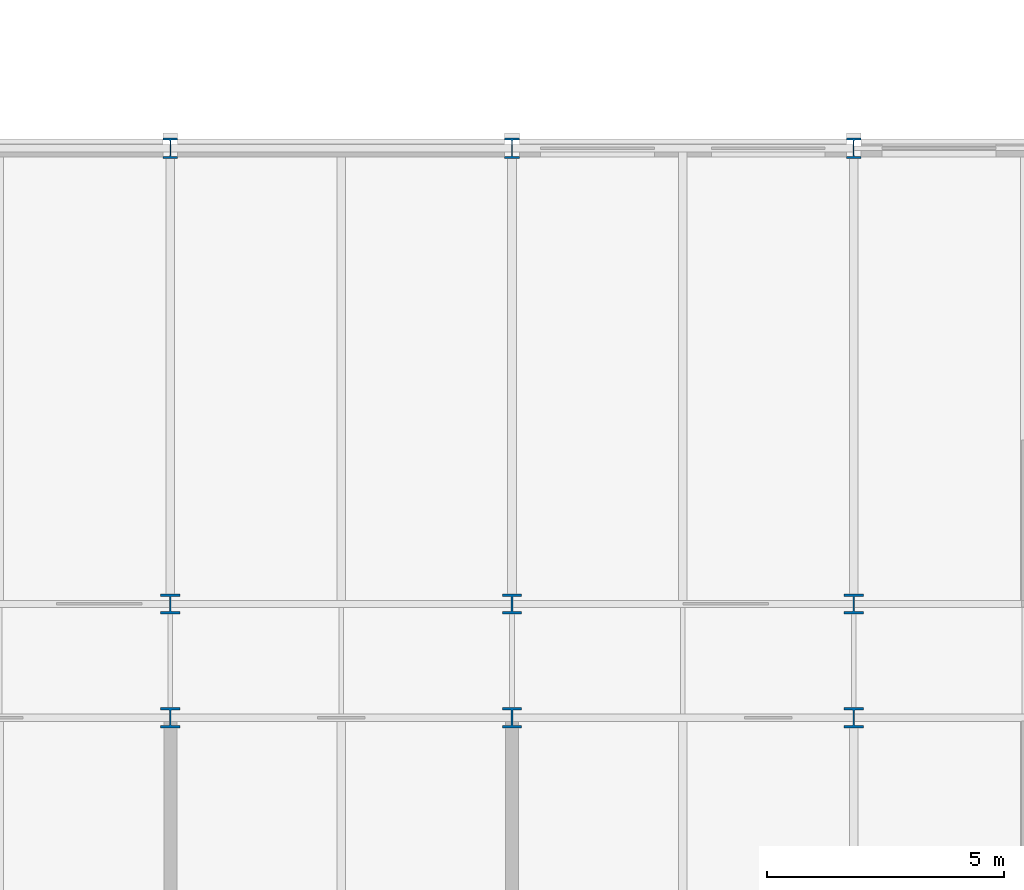
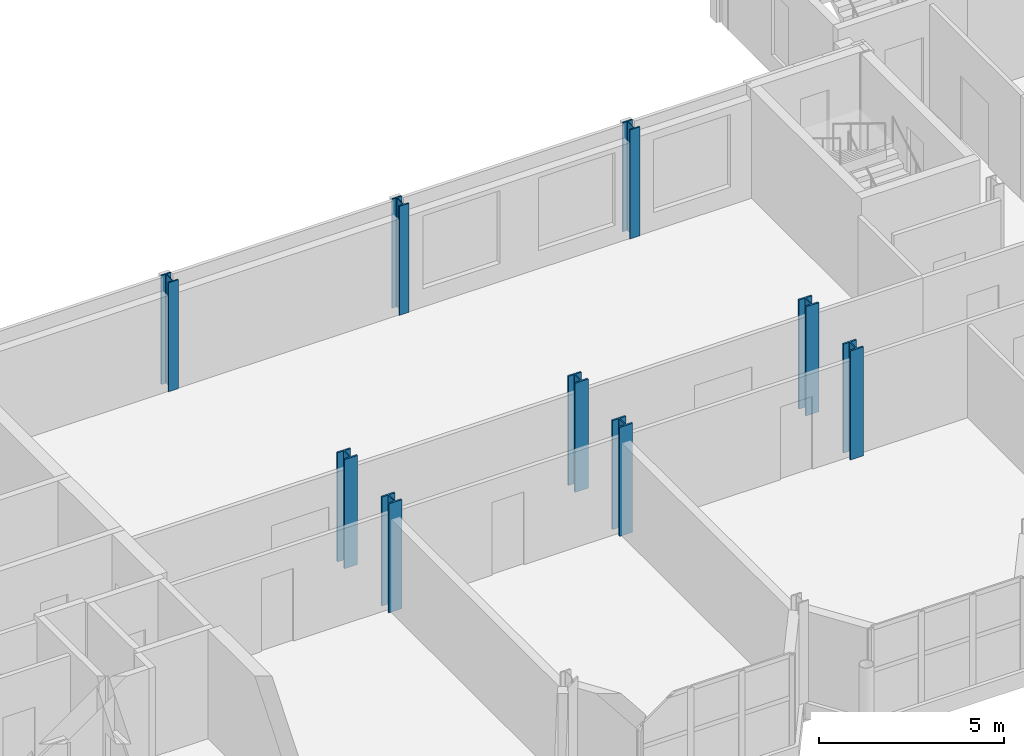
# One storey, part 14 of 124: 9 columns.
"""IFC4 building model written with IfcOpenShell, lengths in metres."""

from ifc_helpers import new_model, si_unit, direction, frame, origin, origin_2d, place, context, subcontext, project, spatial, i_section, extrude, material, material_profile, profile_set, type_object, element, save


model = new_model("IFC4")

# Units and contexts
model_context = context("Model", 3, precision=1e-05, world=origin(), true_north=direction((0.0, 1.0)))
body_context = subcontext(model_context, "Body", "Model", "MODEL_VIEW")
ifc_project = project(units=[si_unit("LENGTHUNIT", "METRE"), si_unit("AREAUNIT", "SQUARE_METRE"), si_unit("VOLUMEUNIT", "CUBIC_METRE"), si_unit("PLANEANGLEUNIT", "RADIAN"), si_unit("MASSUNIT", "GRAM", prefix="KILO")], contexts=[model_context])

# Site, building, storey
site_placement = place(None, origin())
site = spatial("IfcSite", under=ifc_project, at=site_placement, CompositionType="ELEMENT")
building_placement = place(site_placement, origin())
building = spatial("IfcBuilding", under=site, at=building_placement, Name="Kupolbacken Congress Centre", CompositionType="ELEMENT")
storey_placement = place(building_placement, frame((0.0, 0.0, 10.800048828125)))
storey = spatial("IfcBuildingStorey", under=building, at=storey_placement, Name="L03", CompositionType="ELEMENT", Elevation=10.800048828125)

# Columns
ifc_material_1 = material(Name="Steel S355", Category="steel")
ifc_material_profile_1 = material_profile(ifc_material_1, i_section(OverallWidth=0.408935546875, OverallDepth=0.425048828125, WebThickness=0.03271484375, FlangeThickness=0.052490234375, FilletRadius=0.014892578125, at=origin_2d()), Name="HD 400 x 421")
ifc_profile_set_1 = profile_set([ifc_material_profile_1], Name="Steel S355")
column_type_1 = type_object("IfcColumnType", Name="C01 column HD 400 x 421", PredefinedType="COLUMN", material=ifc_profile_set_1)
for number, where, z_axis, x_axis, name in (
    (1, (115.199951171875, 132.0, 0.0), (0.0, 0.0, 1.0), (1.0, 0.0, 0.0), "S/col/C-T-17U+2400/L03"),
    (2, (115.199951171875, 134.39990234375, 0.0), (0.0, 0.0, 1.0), (1.0, 0.0, 0.0), "S/col/C-T-17U+4800/L03"),
    (3, (122.39990234375, 132.0, 0.0), (0.0, 0.0, 1.0), (1.0, 0.0, 0.0), "S/col/C-T-18U+2400/L03"),
    (4, (122.39990234375, 134.39990234375, 0.0), (0.0, 0.0, 1.0), (1.0, 0.0, 0.0), "S/col/C-T-18U+4800/L03"),
    (5, (129.60009765625, 132.0, 0.0), (0.0, 0.0, 1.0), (1.0, 0.0, 0.0), "S/col/C-T-19U+2400/L03"),
    (6, (129.60009765625, 134.39990234375, 0.0), (0.0, 0.0, 1.0), (1.0, 0.0, 0.0), "S/col/C-T-19U+4800/L03"),
):
    element("IfcColumn", number, at=place(storey_placement, frame(where, z_axis=z_axis, x_axis=x_axis)), inside=storey, type_object=column_type_1, Name=name, PredefinedType="COLUMN", context=body_context, shape_type="SweptSolid", body=[
        extrude(i_section(OverallWidth=0.408935546875, OverallDepth=0.425048828125, WebThickness=0.03271484375, FlangeThickness=0.052490234375, FilletRadius=0.014892578125, at=origin_2d()), origin(), (0.0, 0.0, 1.0), 3.599853515625),
    ])
ifc_material_2 = material(Name="Steel S355", Category="steel")
ifc_material_profile_2 = material_profile(ifc_material_2, i_section(OverallWidth=0.306884765625, OverallDepth=0.431884765625, WebThickness=0.02099609375, FlangeThickness=0.0400390625, FilletRadius=0.027099609375, at=origin_2d()), Name="HEM 400")
ifc_profile_set_2 = profile_set([ifc_material_profile_2], Name="Steel S355")
column_type_2 = type_object("IfcColumnType", Name="C02 column HEM 400", PredefinedType="COLUMN", material=ifc_profile_set_2)
for number, where, z_axis, x_axis, name in (
    (7, (115.199951171875, 144.0, 0.0), (0.0, 0.0, 1.0), (1.0, 0.0, 0.0), "S/col/C-T-17W/L03"),
    (8, (122.39990234375, 144.0, 0.0), (0.0, 0.0, 1.0), (1.0, 0.0, 0.0), "S/col/C-T-18W/L03"),
    (9, (129.60009765625, 144.0, 0.0), (0.0, 0.0, 1.0), (1.0, 0.0, 0.0), "S/col/C-T-19W/L03"),
):
    element("IfcColumn", number, at=place(storey_placement, frame(where, z_axis=z_axis, x_axis=x_axis)), inside=storey, type_object=column_type_2, Name=name, PredefinedType="COLUMN", context=body_context, shape_type="SweptSolid", body=[
        extrude(i_section(OverallWidth=0.306884765625, OverallDepth=0.431884765625, WebThickness=0.02099609375, FlangeThickness=0.0400390625, FilletRadius=0.027099609375, at=origin_2d()), origin(), (0.0, 0.0, 1.0), 3.599853515625),
    ])

save(model, "model.ifc")
